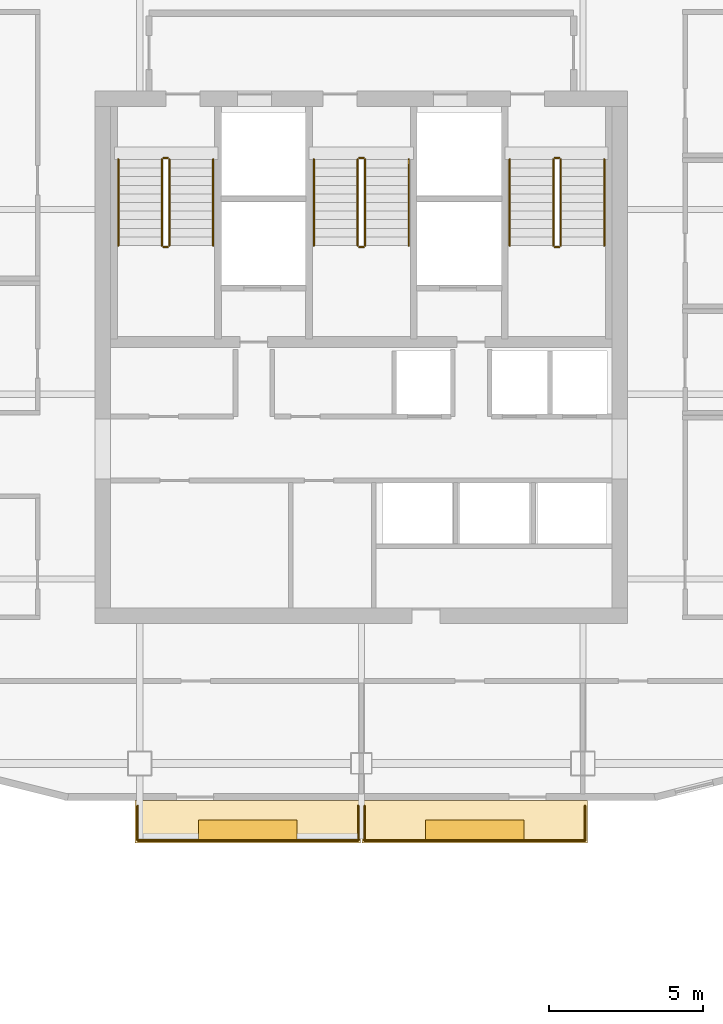
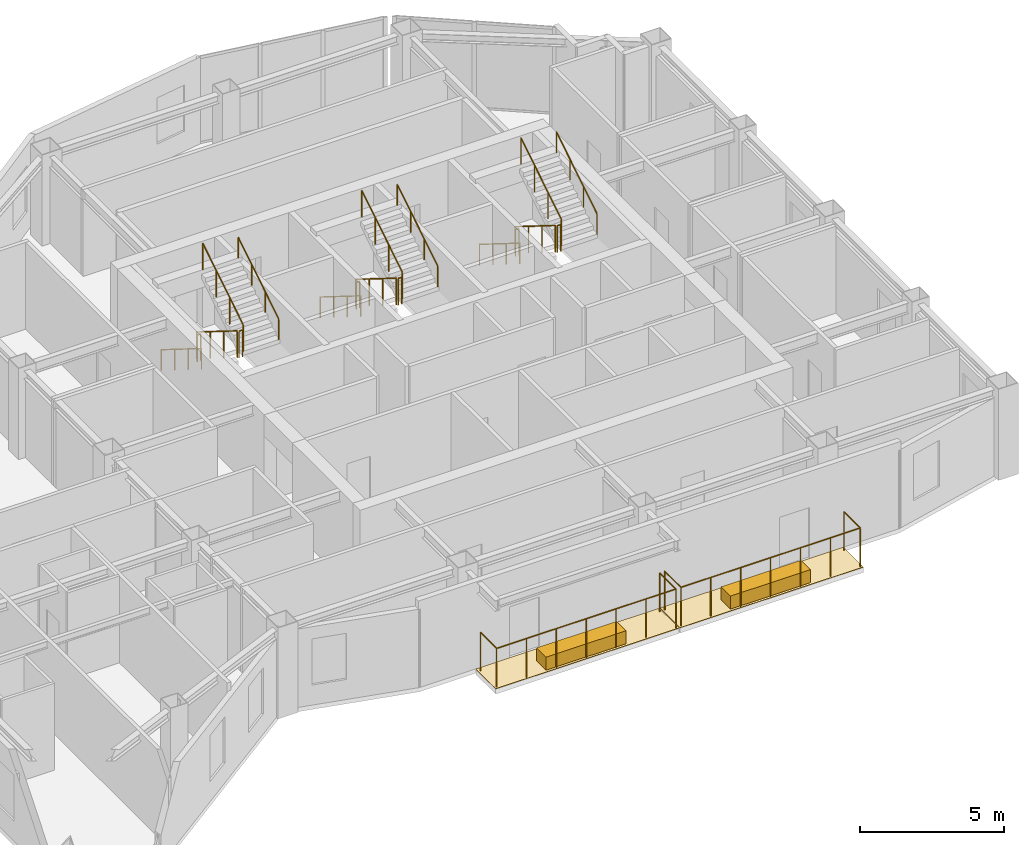
# One storey, part 9 of 9: 22 railings, 4 coverings.
"""IFC4 building model written with IfcOpenShell, lengths in metres."""

from ifc_helpers import new_model, si_unit, direction, frame, origin, origin_2d, place, context, subcontext, project, spatial, polyline, rectangle, circle, outline, extrude, material, layer, layer_set, type_object, element, save


model = new_model("IFC4")

# Units and contexts
model_context = context("Model", 3, precision=1e-05, world=origin(), true_north=direction((0.0, 1.0)))
body_context = subcontext(model_context, "Body", "Model", "MODEL_VIEW")
ifc_project = project(units=[si_unit("LENGTHUNIT", "METRE"), si_unit("AREAUNIT", "SQUARE_METRE"), si_unit("VOLUMEUNIT", "CUBIC_METRE"), si_unit("PLANEANGLEUNIT", "RADIAN"), si_unit("MASSUNIT", "GRAM", prefix="KILO")], contexts=[model_context])

# Site, building, storey
site_placement = place(None, origin())
site = spatial("IfcSite", under=ifc_project, at=site_placement, CompositionType="ELEMENT")
building_placement = place(site_placement, origin())
building = spatial("IfcBuilding", under=site, at=building_placement, Name="Haolan Belvedere Tower", CompositionType="ELEMENT")
storey_placement = place(building_placement, frame((0.0, 0.0, 262.14990234375)))
storey = spatial("IfcBuildingStorey", under=building, at=storey_placement, Name="L66", CompositionType="ELEMENT", Elevation=262.14990234375)

# Coverings
ifc_material_1 = material(Name="Engineered lightweight planted garden soil substrate", Category="masonry")
ifc_layer_1 = layer(ifc_material_1, 0.550048828125, Name="Engineered lightweight planted garden soil substrate")
ifc_layer_set_1 = layer_set([ifc_layer_1], Name="Engineered lightweight planted garden soil substrate")
covering_type_1 = type_object("IfcCoveringType", Name="COV-PLANT-550", PredefinedType="MEMBRANE", material=ifc_layer_set_1)
for number, where, z_axis, x_axis, name in (
    (1, (34.715087890625, 19.43994140625, 0.0), (0.0, 0.0, 1.0), (1.0, 0.0, 0.0), "L66 structural tree balcony PLANTER box 1"),
    (2, (42.0849609375, 19.43994140625, 0.0), (0.0, 0.0, 1.0), (1.0, 0.0, 0.0), "L66 structural tree balcony PLANTER box 2"),
):
    element("IfcCovering", number, at=place(storey_placement, frame(where, z_axis=z_axis, x_axis=x_axis)), inside=storey, type_object=covering_type_1, Name=name, PredefinedType="MEMBRANE", context=body_context, shape_type="SweptSolid", body=[
        extrude(rectangle(XDim=3.199951171875, YDim=0.64990234375, at=origin_2d()), origin(), (0.0, 0.0, 1.0), 0.550048828125),
    ])
ifc_material_2 = material(Name="Elastomeric waterproof roofing membrane and stone pavers", Category="masonry")
ifc_layer_2 = layer(ifc_material_2, 0.02001953125, Name="Elastomeric waterproof roofing membrane and stone pavers")
ifc_layer_set_2 = layer_set([ifc_layer_2], Name="Elastomeric waterproof roofing membrane and stone pavers")
covering_type_2 = type_object("IfcCoveringType", Name="COV-ROOF-20", PredefinedType="ROOFING", material=ifc_layer_set_2)
covering_1_placement = place(storey_placement, frame((0.0, 0.0, -0.02001953125)))
element("IfcCovering", 3, at=covering_1_placement, inside=storey, type_object=covering_type_2, Name="L66 tree-balcony waterproof membrane 1", PredefinedType="ROOFING", context=body_context, shape_type="SweptSolid", body=[
    extrude(outline(polyline([(31.050048828125, 19.02001953125), (38.3798828125, 19.02001953125), (38.3798828125, 20.39990234375), (31.050048828125, 20.39990234375), (31.050048828125, 19.02001953125)])), origin(), (0.0, 0.0, 1.0), 0.02001953125),
])
covering_2_placement = place(storey_placement, frame((0.0, 0.0, -0.02001953125)))
element("IfcCovering", 4, at=covering_2_placement, inside=storey, type_object=covering_type_2, Name="L66 tree-balcony waterproof membrane 2", PredefinedType="ROOFING", context=body_context, shape_type="SweptSolid", body=[
    extrude(outline(polyline([(38.419921875, 19.02001953125), (45.75, 19.02001953125), (45.75, 20.39990234375), (38.419921875, 20.39990234375), (38.419921875, 19.02001953125)])), origin(), (0.0, 0.0, 1.0), 0.02001953125),
])

# Railings
ifc_material_3 = material(Name="Brushed stainless steel 304", Category="steel")
railing_type_1 = type_object("IfcRailingType", Name="RL-STAIR-GRD-1150", PredefinedType="GUARDRAIL", material=ifc_material_3)
railing_1_placement = place(storey_placement, frame((31.919921875, 41.22998046875, 0.175048828125)))
element("IfcRailing", 5, at=railing_1_placement, inside=storey, type_object=railing_type_1, Name="L66 ST1 stair guard 1", PredefinedType="GUARDRAIL", context=body_context, shape_type="SweptSolid", body=[
    extrude(circle(Radius=0.02392578125, at=origin_2d()), frame((0.0, 0.0, 1.1259765625), z_axis=(0.0, -0.848002457836, 0.529992293815), x_axis=(1.0, 0.0, 0.0)), (0.0, 0.0, 1.0), 3.302001953125),
    extrude(circle(Radius=0.02099609375, at=origin_2d()), origin(), (0.0, 0.0, 1.0), 1.101806640625),
    extrude(circle(Radius=0.02099609375, at=origin_2d()), frame((0.0, -0.933349609375, 0.583251953125)), (0.0, 0.0, 1.0), 1.101806640625),
    extrude(circle(Radius=0.02099609375, at=origin_2d()), frame((0.0, -1.86669921875, 1.166748046875)), (0.0, 0.0, 1.0), 1.101806640625),
    extrude(circle(Radius=0.02099609375, at=origin_2d()), frame((0.0, -2.800048828125, 1.75)), (0.0, 0.0, 1.0), 1.101806640625),
])
railing_2_placement = place(storey_placement, frame((31.969970703125, 38.3798828125, 1.925048828125)))
element("IfcRailing", 6, at=railing_2_placement, inside=storey, type_object=railing_type_1, Name="L66 ST1 stair guard 2", PredefinedType="GUARDRAIL", context=body_context, shape_type="SweptSolid", body=[
    extrude(circle(Radius=0.02392578125, at=origin_2d()), frame((0.0, 0.0, 1.1259765625), z_axis=(1.0, 0.0, 0.0), x_axis=(0.0, 1.0, 0.0)), (0.0, 0.0, 1.0), 0.14013671875),
    extrude(circle(Radius=0.02099609375, at=origin_2d()), origin(), (0.0, 0.0, 1.0), 1.101806640625),
    extrude(circle(Radius=0.02099609375, at=origin_2d()), frame((0.14013671875, 0.0, 0.0)), (0.0, 0.0, 1.0), 1.101806640625),
])
railing_3_placement = place(storey_placement, frame((32.159912109375, 38.429931640625, 2.10009765625)))
element("IfcRailing", 7, at=railing_3_placement, inside=storey, type_object=railing_type_1, Name="L66 ST1 stair guard 3", PredefinedType="GUARDRAIL", context=body_context, shape_type="SweptSolid", body=[
    extrude(circle(Radius=0.02392578125, at=origin_2d()), frame((0.0, 0.0, 1.1259765625), z_axis=(0.0, 0.848002457836, 0.529992293815), x_axis=(-1.0, 0.0, 0.0)), (0.0, 0.0, 1.0), 3.302001953125),
    extrude(circle(Radius=0.02099609375, at=origin_2d()), origin(), (0.0, 0.0, 1.0), 1.101806640625),
    extrude(circle(Radius=0.02099609375, at=origin_2d()), frame((0.0, 0.933349609375, 0.583251953125)), (0.0, 0.0, 1.0), 1.101806640625),
    extrude(circle(Radius=0.02099609375, at=origin_2d()), frame((0.0, 1.86669921875, 1.166748046875)), (0.0, 0.0, 1.0), 1.101806640625),
    extrude(circle(Radius=0.02099609375, at=origin_2d()), frame((0.0, 2.800048828125, 1.75)), (0.0, 0.0, 1.0), 1.101806640625),
])
railing_4_placement = place(storey_placement, frame((31.969970703125, 41.280029296875, 0.0)))
element("IfcRailing", 8, at=railing_4_placement, inside=storey, type_object=railing_type_1, Name="L66 ST1 stair guard 4", PredefinedType="GUARDRAIL", context=body_context, shape_type="SweptSolid", body=[
    extrude(circle(Radius=0.02392578125, at=origin_2d()), frame((0.0, 0.0, 1.1259765625), z_axis=(1.0, 0.0, 0.0), x_axis=(0.0, 1.0, 0.0)), (0.0, 0.0, 1.0), 0.14013671875),
    extrude(circle(Radius=0.02099609375, at=origin_2d()), origin(), (0.0, 0.0, 1.0), 1.101806640625),
    extrude(circle(Radius=0.02099609375, at=origin_2d()), frame((0.14013671875, 0.0, 0.0)), (0.0, 0.0, 1.0), 1.101806640625),
])
railing_5_placement = place(storey_placement, frame((38.280029296875, 41.22998046875, 0.175048828125)))
element("IfcRailing", 9, at=railing_5_placement, inside=storey, type_object=railing_type_1, Name="L66 ST3 stair guard 1", PredefinedType="GUARDRAIL", context=body_context, shape_type="SweptSolid", body=[
    extrude(circle(Radius=0.02392578125, at=origin_2d()), frame((0.0, 0.0, 1.1259765625), z_axis=(0.0, -0.848002457836, 0.529992293815), x_axis=(1.0, 0.0, 0.0)), (0.0, 0.0, 1.0), 3.302001953125),
    extrude(circle(Radius=0.02099609375, at=origin_2d()), origin(), (0.0, 0.0, 1.0), 1.101806640625),
    extrude(circle(Radius=0.02099609375, at=origin_2d()), frame((0.0, -0.933349609375, 0.583251953125)), (0.0, 0.0, 1.0), 1.101806640625),
    extrude(circle(Radius=0.02099609375, at=origin_2d()), frame((0.0, -1.86669921875, 1.166748046875)), (0.0, 0.0, 1.0), 1.101806640625),
    extrude(circle(Radius=0.02099609375, at=origin_2d()), frame((0.0, -2.800048828125, 1.75)), (0.0, 0.0, 1.0), 1.101806640625),
])
railing_6_placement = place(storey_placement, frame((38.330078125, 38.3798828125, 1.925048828125)))
element("IfcRailing", 10, at=railing_6_placement, inside=storey, type_object=railing_type_1, Name="L66 ST3 stair guard 2", PredefinedType="GUARDRAIL", context=body_context, shape_type="SweptSolid", body=[
    extrude(circle(Radius=0.02392578125, at=origin_2d()), frame((0.0, 0.0, 1.1259765625), z_axis=(1.0, 0.0, 0.0), x_axis=(0.0, 1.0, 0.0)), (0.0, 0.0, 1.0), 0.139892578125),
    extrude(circle(Radius=0.02099609375, at=origin_2d()), origin(), (0.0, 0.0, 1.0), 1.101806640625),
    extrude(circle(Radius=0.02099609375, at=origin_2d()), frame((0.139892578125, 0.0, 0.0)), (0.0, 0.0, 1.0), 1.101806640625),
])
railing_7_placement = place(storey_placement, frame((38.52001953125, 38.429931640625, 2.10009765625)))
element("IfcRailing", 11, at=railing_7_placement, inside=storey, type_object=railing_type_1, Name="L66 ST3 stair guard 3", PredefinedType="GUARDRAIL", context=body_context, shape_type="SweptSolid", body=[
    extrude(circle(Radius=0.02392578125, at=origin_2d()), frame((0.0, 0.0, 1.1259765625), z_axis=(0.0, 0.848002457836, 0.529992293815), x_axis=(-1.0, 0.0, 0.0)), (0.0, 0.0, 1.0), 3.302001953125),
    extrude(circle(Radius=0.02099609375, at=origin_2d()), origin(), (0.0, 0.0, 1.0), 1.101806640625),
    extrude(circle(Radius=0.02099609375, at=origin_2d()), frame((0.0, 0.933349609375, 0.583251953125)), (0.0, 0.0, 1.0), 1.101806640625),
    extrude(circle(Radius=0.02099609375, at=origin_2d()), frame((0.0, 1.86669921875, 1.166748046875)), (0.0, 0.0, 1.0), 1.101806640625),
    extrude(circle(Radius=0.02099609375, at=origin_2d()), frame((0.0, 2.800048828125, 1.75)), (0.0, 0.0, 1.0), 1.101806640625),
])
railing_8_placement = place(storey_placement, frame((38.330078125, 41.280029296875, 0.0)))
element("IfcRailing", 12, at=railing_8_placement, inside=storey, type_object=railing_type_1, Name="L66 ST3 stair guard 4", PredefinedType="GUARDRAIL", context=body_context, shape_type="SweptSolid", body=[
    extrude(circle(Radius=0.02392578125, at=origin_2d()), frame((0.0, 0.0, 1.1259765625), z_axis=(1.0, 0.0, 0.0), x_axis=(0.0, 1.0, 0.0)), (0.0, 0.0, 1.0), 0.139892578125),
    extrude(circle(Radius=0.02099609375, at=origin_2d()), origin(), (0.0, 0.0, 1.0), 1.101806640625),
    extrude(circle(Radius=0.02099609375, at=origin_2d()), frame((0.139892578125, 0.0, 0.0)), (0.0, 0.0, 1.0), 1.101806640625),
])
railing_9_placement = place(storey_placement, frame((44.639892578125, 41.22998046875, 0.175048828125)))
element("IfcRailing", 13, at=railing_9_placement, inside=storey, type_object=railing_type_1, Name="L66 ST2 stair guard 1", PredefinedType="GUARDRAIL", context=body_context, shape_type="SweptSolid", body=[
    extrude(circle(Radius=0.02392578125, at=origin_2d()), frame((0.0, 0.0, 1.1259765625), z_axis=(0.0, -0.848002457836, 0.529992293815), x_axis=(1.0, 0.0, 0.0)), (0.0, 0.0, 1.0), 3.302001953125),
    extrude(circle(Radius=0.02099609375, at=origin_2d()), origin(), (0.0, 0.0, 1.0), 1.101806640625),
    extrude(circle(Radius=0.02099609375, at=origin_2d()), frame((0.0, -0.933349609375, 0.583251953125)), (0.0, 0.0, 1.0), 1.101806640625),
    extrude(circle(Radius=0.02099609375, at=origin_2d()), frame((0.0, -1.86669921875, 1.166748046875)), (0.0, 0.0, 1.0), 1.101806640625),
    extrude(circle(Radius=0.02099609375, at=origin_2d()), frame((0.0, -2.800048828125, 1.75)), (0.0, 0.0, 1.0), 1.101806640625),
])
railing_10_placement = place(storey_placement, frame((44.68994140625, 38.3798828125, 1.925048828125)))
element("IfcRailing", 14, at=railing_10_placement, inside=storey, type_object=railing_type_1, Name="L66 ST2 stair guard 2", PredefinedType="GUARDRAIL", context=body_context, shape_type="SweptSolid", body=[
    extrude(circle(Radius=0.02392578125, at=origin_2d()), frame((0.0, 0.0, 1.1259765625), z_axis=(1.0, 0.0, 0.0), x_axis=(0.0, 1.0, 0.0)), (0.0, 0.0, 1.0), 0.14013671875),
    extrude(circle(Radius=0.02099609375, at=origin_2d()), origin(), (0.0, 0.0, 1.0), 1.101806640625),
    extrude(circle(Radius=0.02099609375, at=origin_2d()), frame((0.14013671875, 0.0, 0.0)), (0.0, 0.0, 1.0), 1.101806640625),
])
railing_11_placement = place(storey_placement, frame((44.8798828125, 38.429931640625, 2.10009765625)))
element("IfcRailing", 15, at=railing_11_placement, inside=storey, type_object=railing_type_1, Name="L66 ST2 stair guard 3", PredefinedType="GUARDRAIL", context=body_context, shape_type="SweptSolid", body=[
    extrude(circle(Radius=0.02392578125, at=origin_2d()), frame((0.0, 0.0, 1.1259765625), z_axis=(0.0, 0.848002457836, 0.529992293815), x_axis=(-1.0, 0.0, 0.0)), (0.0, 0.0, 1.0), 3.302001953125),
    extrude(circle(Radius=0.02099609375, at=origin_2d()), origin(), (0.0, 0.0, 1.0), 1.101806640625),
    extrude(circle(Radius=0.02099609375, at=origin_2d()), frame((0.0, 0.933349609375, 0.583251953125)), (0.0, 0.0, 1.0), 1.101806640625),
    extrude(circle(Radius=0.02099609375, at=origin_2d()), frame((0.0, 1.86669921875, 1.166748046875)), (0.0, 0.0, 1.0), 1.101806640625),
    extrude(circle(Radius=0.02099609375, at=origin_2d()), frame((0.0, 2.800048828125, 1.75)), (0.0, 0.0, 1.0), 1.101806640625),
])
railing_12_placement = place(storey_placement, frame((44.68994140625, 41.280029296875, 0.0)))
element("IfcRailing", 16, at=railing_12_placement, inside=storey, type_object=railing_type_1, Name="L66 ST2 stair guard 4", PredefinedType="GUARDRAIL", context=body_context, shape_type="SweptSolid", body=[
    extrude(circle(Radius=0.02392578125, at=origin_2d()), frame((0.0, 0.0, 1.1259765625), z_axis=(1.0, 0.0, 0.0), x_axis=(0.0, 1.0, 0.0)), (0.0, 0.0, 1.0), 0.14013671875),
    extrude(circle(Radius=0.02099609375, at=origin_2d()), origin(), (0.0, 0.0, 1.0), 1.101806640625),
    extrude(circle(Radius=0.02099609375, at=origin_2d()), frame((0.14013671875, 0.0, 0.0)), (0.0, 0.0, 1.0), 1.101806640625),
])
railing_type_2 = type_object("IfcRailingType", Name="RL-STAIR-HND-900", PredefinedType="HANDRAIL", material=ifc_material_3)
railing_13_placement = place(storey_placement, frame((30.5, 41.22998046875, 0.175048828125)))
element("IfcRailing", 17, at=railing_13_placement, inside=storey, type_object=railing_type_2, Name="L66 ST1 stair handrail 1", PredefinedType="HANDRAIL", context=body_context, shape_type="SweptSolid", body=[
    extrude(circle(Radius=0.02392578125, at=origin_2d()), frame((0.0, 0.0, 0.8759765625), z_axis=(0.0, -0.848002457836, 0.529992293815), x_axis=(1.0, 0.0, 0.0)), (0.0, 0.0, 1.0), 3.302001953125),
    extrude(circle(Radius=0.02099609375, at=origin_2d()), origin(), (0.0, 0.0, 1.0), 0.851806640625),
    extrude(circle(Radius=0.02099609375, at=origin_2d()), frame((0.0, -0.933349609375, 0.583251953125)), (0.0, 0.0, 1.0), 0.851806640625),
    extrude(circle(Radius=0.02099609375, at=origin_2d()), frame((0.0, -1.86669921875, 1.166748046875)), (0.0, 0.0, 1.0), 0.851806640625),
    extrude(circle(Radius=0.02099609375, at=origin_2d()), frame((0.0, -2.800048828125, 1.75)), (0.0, 0.0, 1.0), 0.851806640625),
])
railing_14_placement = place(storey_placement, frame((33.580078125, 38.429931640625, 2.10009765625)))
element("IfcRailing", 18, at=railing_14_placement, inside=storey, type_object=railing_type_2, Name="L66 ST1 stair handrail 2", PredefinedType="HANDRAIL", context=body_context, shape_type="SweptSolid", body=[
    extrude(circle(Radius=0.02392578125, at=origin_2d()), frame((0.0, 0.0, 0.8759765625), z_axis=(0.0, 0.848002457836, 0.529992293815), x_axis=(-1.0, 0.0, 0.0)), (0.0, 0.0, 1.0), 3.302001953125),
    extrude(circle(Radius=0.02099609375, at=origin_2d()), origin(), (0.0, 0.0, 1.0), 0.851806640625),
    extrude(circle(Radius=0.02099609375, at=origin_2d()), frame((0.0, 0.933349609375, 0.583251953125)), (0.0, 0.0, 1.0), 0.851806640625),
    extrude(circle(Radius=0.02099609375, at=origin_2d()), frame((0.0, 1.86669921875, 1.166748046875)), (0.0, 0.0, 1.0), 0.851806640625),
    extrude(circle(Radius=0.02099609375, at=origin_2d()), frame((0.0, 2.800048828125, 1.75)), (0.0, 0.0, 1.0), 0.851806640625),
])
railing_15_placement = place(storey_placement, frame((36.860107421875, 41.22998046875, 0.175048828125)))
element("IfcRailing", 19, at=railing_15_placement, inside=storey, type_object=railing_type_2, Name="L66 ST3 stair handrail 1", PredefinedType="HANDRAIL", context=body_context, shape_type="SweptSolid", body=[
    extrude(circle(Radius=0.02392578125, at=origin_2d()), frame((0.0, 0.0, 0.8759765625), z_axis=(0.0, -0.848002457836, 0.529992293815), x_axis=(1.0, 0.0, 0.0)), (0.0, 0.0, 1.0), 3.302001953125),
    extrude(circle(Radius=0.02099609375, at=origin_2d()), origin(), (0.0, 0.0, 1.0), 0.851806640625),
    extrude(circle(Radius=0.02099609375, at=origin_2d()), frame((0.0, -0.933349609375, 0.583251953125)), (0.0, 0.0, 1.0), 0.851806640625),
    extrude(circle(Radius=0.02099609375, at=origin_2d()), frame((0.0, -1.86669921875, 1.166748046875)), (0.0, 0.0, 1.0), 0.851806640625),
    extrude(circle(Radius=0.02099609375, at=origin_2d()), frame((0.0, -2.800048828125, 1.75)), (0.0, 0.0, 1.0), 0.851806640625),
])
railing_16_placement = place(storey_placement, frame((39.93994140625, 38.429931640625, 2.10009765625)))
element("IfcRailing", 20, at=railing_16_placement, inside=storey, type_object=railing_type_2, Name="L66 ST3 stair handrail 2", PredefinedType="HANDRAIL", context=body_context, shape_type="SweptSolid", body=[
    extrude(circle(Radius=0.02392578125, at=origin_2d()), frame((0.0, 0.0, 0.8759765625), z_axis=(0.0, 0.848002457836, 0.529992293815), x_axis=(-1.0, 0.0, 0.0)), (0.0, 0.0, 1.0), 3.302001953125),
    extrude(circle(Radius=0.02099609375, at=origin_2d()), origin(), (0.0, 0.0, 1.0), 0.851806640625),
    extrude(circle(Radius=0.02099609375, at=origin_2d()), frame((0.0, 0.933349609375, 0.583251953125)), (0.0, 0.0, 1.0), 0.851806640625),
    extrude(circle(Radius=0.02099609375, at=origin_2d()), frame((0.0, 1.86669921875, 1.166748046875)), (0.0, 0.0, 1.0), 0.851806640625),
    extrude(circle(Radius=0.02099609375, at=origin_2d()), frame((0.0, 2.800048828125, 1.75)), (0.0, 0.0, 1.0), 0.851806640625),
])
railing_17_placement = place(storey_placement, frame((43.219970703125, 41.22998046875, 0.175048828125)))
element("IfcRailing", 21, at=railing_17_placement, inside=storey, type_object=railing_type_2, Name="L66 ST2 stair handrail 1", PredefinedType="HANDRAIL", context=body_context, shape_type="SweptSolid", body=[
    extrude(circle(Radius=0.02392578125, at=origin_2d()), frame((0.0, 0.0, 0.8759765625), z_axis=(0.0, -0.848002457836, 0.529992293815), x_axis=(1.0, 0.0, 0.0)), (0.0, 0.0, 1.0), 3.302001953125),
    extrude(circle(Radius=0.02099609375, at=origin_2d()), origin(), (0.0, 0.0, 1.0), 0.851806640625),
    extrude(circle(Radius=0.02099609375, at=origin_2d()), frame((0.0, -0.933349609375, 0.583251953125)), (0.0, 0.0, 1.0), 0.851806640625),
    extrude(circle(Radius=0.02099609375, at=origin_2d()), frame((0.0, -1.86669921875, 1.166748046875)), (0.0, 0.0, 1.0), 0.851806640625),
    extrude(circle(Radius=0.02099609375, at=origin_2d()), frame((0.0, -2.800048828125, 1.75)), (0.0, 0.0, 1.0), 0.851806640625),
])
railing_18_placement = place(storey_placement, frame((46.300048828125, 38.429931640625, 2.10009765625)))
element("IfcRailing", 22, at=railing_18_placement, inside=storey, type_object=railing_type_2, Name="L66 ST2 stair handrail 2", PredefinedType="HANDRAIL", context=body_context, shape_type="SweptSolid", body=[
    extrude(circle(Radius=0.02392578125, at=origin_2d()), frame((0.0, 0.0, 0.8759765625), z_axis=(0.0, 0.848002457836, 0.529992293815), x_axis=(-1.0, 0.0, 0.0)), (0.0, 0.0, 1.0), 3.302001953125),
    extrude(circle(Radius=0.02099609375, at=origin_2d()), origin(), (0.0, 0.0, 1.0), 0.851806640625),
    extrude(circle(Radius=0.02099609375, at=origin_2d()), frame((0.0, 0.933349609375, 0.583251953125)), (0.0, 0.0, 1.0), 0.851806640625),
    extrude(circle(Radius=0.02099609375, at=origin_2d()), frame((0.0, 1.86669921875, 1.166748046875)), (0.0, 0.0, 1.0), 0.851806640625),
    extrude(circle(Radius=0.02099609375, at=origin_2d()), frame((0.0, 2.800048828125, 1.75)), (0.0, 0.0, 1.0), 0.851806640625),
])
ifc_material_4 = material(Name="Anodised aluminium and laminated glass balustrade", Category="aluminium")
railing_type_3 = type_object("IfcRailingType", Name="RL-TER-BAL-1150", PredefinedType="BALUSTRADE", material=ifc_material_4)
railing_19_placement = place(storey_placement, frame((31.1298828125, 19.10009765625, 0.0)))
element("IfcRailing", 23, at=railing_19_placement, inside=storey, type_object=railing_type_3, Name="L66 outdoor perimeter balustrade BAL-L66-1-1", PredefinedType="BALUSTRADE", context=body_context, shape_type="SweptSolid", body=[
    extrude(circle(Radius=0.02392578125, at=origin_2d()), frame((0.0, 0.0, 1.6259765625), z_axis=(0.0, 1.0, 0.0), x_axis=(-1.0, 0.0, 0.0)), (0.0, 0.0, 1.0), 1.119873046875),
    extrude(circle(Radius=0.02099609375, at=origin_2d()), origin(), (0.0, 0.0, 1.0), 1.601806640625),
    extrude(circle(Radius=0.02099609375, at=origin_2d()), frame((0.0, 1.119873046875, 0.0)), (0.0, 0.0, 1.0), 1.601806640625),
])
railing_20_placement = place(storey_placement, frame((38.300048828125, 20.219970703125, 0.0)))
element("IfcRailing", 24, at=railing_20_placement, inside=storey, type_object=railing_type_3, Name="L66 outdoor perimeter balustrade BAL-L66-1-2", PredefinedType="BALUSTRADE", context=body_context, shape_type="SweptSolid", body=[
    extrude(circle(Radius=0.02392578125, at=origin_2d()), frame((0.0, 0.0, 1.6259765625), z_axis=(0.0, -1.0, 0.0), x_axis=(1.0, 0.0, 0.0)), (0.0, 0.0, 1.0), 1.119873046875),
    extrude(circle(Radius=0.02392578125, at=origin_2d()), frame((0.0, -1.119873046875, 1.6259765625), z_axis=(-1.0, 0.0, 0.0), x_axis=(0.0, -1.0, 0.0)), (0.0, 0.0, 1.0), 7.170166015625),
    extrude(circle(Radius=0.02099609375, at=origin_2d()), origin(), (0.0, 0.0, 1.0), 1.601806640625),
    extrude(circle(Radius=0.02099609375, at=origin_2d()), frame((0.0, -1.119873046875, 0.0)), (0.0, 0.0, 1.0), 1.601806640625),
    extrude(circle(Radius=0.02099609375, at=origin_2d()), frame((-1.195068359375, -1.119873046875, 0.0)), (0.0, 0.0, 1.0), 1.601806640625),
    extrude(circle(Radius=0.02099609375, at=origin_2d()), frame((-2.39013671875, -1.119873046875, 0.0)), (0.0, 0.0, 1.0), 1.601806640625),
    extrude(circle(Radius=0.02099609375, at=origin_2d()), frame((-3.5849609375, -1.119873046875, 0.0)), (0.0, 0.0, 1.0), 1.601806640625),
    extrude(circle(Radius=0.02099609375, at=origin_2d()), frame((-4.780029296875, -1.119873046875, 0.0)), (0.0, 0.0, 1.0), 1.601806640625),
    extrude(circle(Radius=0.02099609375, at=origin_2d()), frame((-5.97509765625, -1.119873046875, 0.0)), (0.0, 0.0, 1.0), 1.601806640625),
    extrude(circle(Radius=0.02099609375, at=origin_2d()), frame((-7.170166015625, -1.119873046875, 0.0)), (0.0, 0.0, 1.0), 1.601806640625),
])
railing_21_placement = place(storey_placement, frame((38.5, 19.10009765625, 0.0)))
element("IfcRailing", 25, at=railing_21_placement, inside=storey, type_object=railing_type_3, Name="L66 outdoor perimeter balustrade BAL-L66-2-1", PredefinedType="BALUSTRADE", context=body_context, shape_type="SweptSolid", body=[
    extrude(circle(Radius=0.02392578125, at=origin_2d()), frame((0.0, 0.0, 1.6259765625), z_axis=(0.0, 1.0, 0.0), x_axis=(-1.0, 0.0, 0.0)), (0.0, 0.0, 1.0), 1.119873046875),
    extrude(circle(Radius=0.02099609375, at=origin_2d()), origin(), (0.0, 0.0, 1.0), 1.601806640625),
    extrude(circle(Radius=0.02099609375, at=origin_2d()), frame((0.0, 1.119873046875, 0.0)), (0.0, 0.0, 1.0), 1.601806640625),
])
railing_22_placement = place(storey_placement, frame((45.669921875, 20.219970703125, 0.0)))
element("IfcRailing", 26, at=railing_22_placement, inside=storey, type_object=railing_type_3, Name="L66 outdoor perimeter balustrade BAL-L66-2-2", PredefinedType="BALUSTRADE", context=body_context, shape_type="SweptSolid", body=[
    extrude(circle(Radius=0.02392578125, at=origin_2d()), frame((0.0, 0.0, 1.6259765625), z_axis=(0.0, -1.0, 0.0), x_axis=(1.0, 0.0, 0.0)), (0.0, 0.0, 1.0), 1.119873046875),
    extrude(circle(Radius=0.02392578125, at=origin_2d()), frame((0.0, -1.119873046875, 1.6259765625), z_axis=(-1.0, 0.0, 0.0), x_axis=(0.0, -1.0, 0.0)), (0.0, 0.0, 1.0), 7.169921875),
    extrude(circle(Radius=0.02099609375, at=origin_2d()), origin(), (0.0, 0.0, 1.0), 1.601806640625),
    extrude(circle(Radius=0.02099609375, at=origin_2d()), frame((0.0, -1.119873046875, 0.0)), (0.0, 0.0, 1.0), 1.601806640625),
    extrude(circle(Radius=0.02099609375, at=origin_2d()), frame((-1.195068359375, -1.119873046875, 0.0)), (0.0, 0.0, 1.0), 1.601806640625),
    extrude(circle(Radius=0.02099609375, at=origin_2d()), frame((-2.389892578125, -1.119873046875, 0.0)), (0.0, 0.0, 1.0), 1.601806640625),
    extrude(circle(Radius=0.02099609375, at=origin_2d()), frame((-3.5849609375, -1.119873046875, 0.0)), (0.0, 0.0, 1.0), 1.601806640625),
    extrude(circle(Radius=0.02099609375, at=origin_2d()), frame((-4.780029296875, -1.119873046875, 0.0)), (0.0, 0.0, 1.0), 1.601806640625),
    extrude(circle(Radius=0.02099609375, at=origin_2d()), frame((-5.974853515625, -1.119873046875, 0.0)), (0.0, 0.0, 1.0), 1.601806640625),
    extrude(circle(Radius=0.02099609375, at=origin_2d()), frame((-7.169921875, -1.119873046875, 0.0)), (0.0, 0.0, 1.0), 1.601806640625),
])

save(model, "model.ifc")
